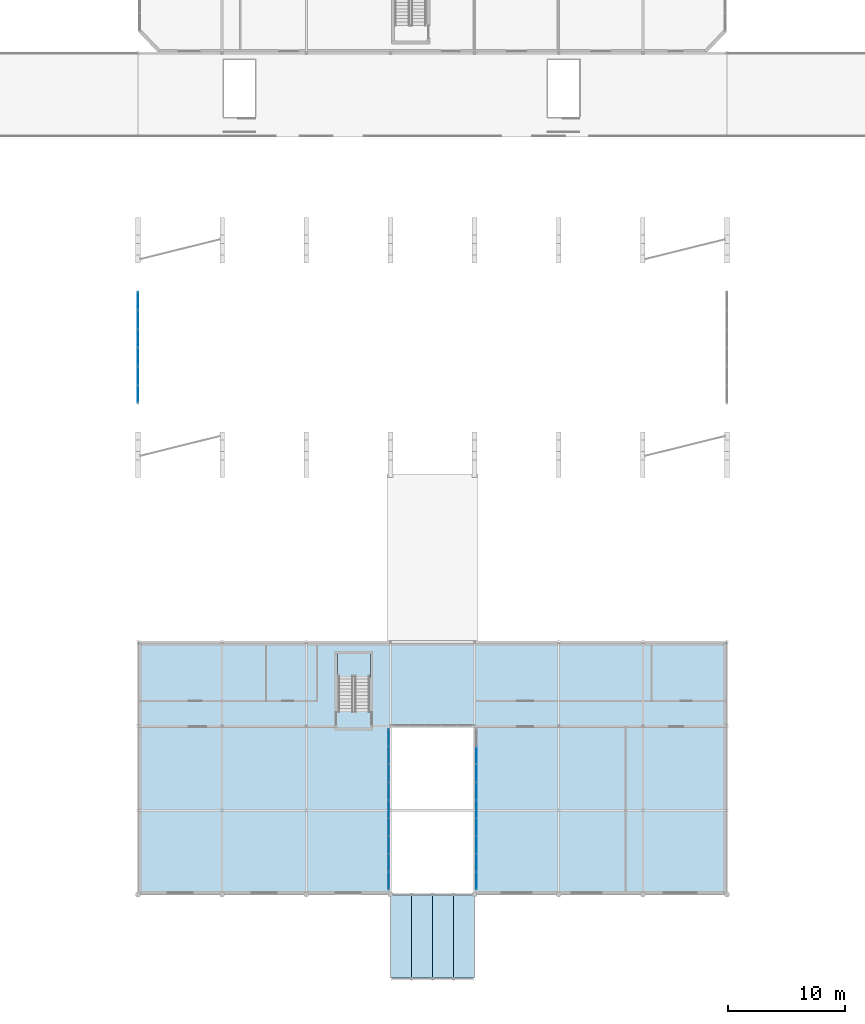
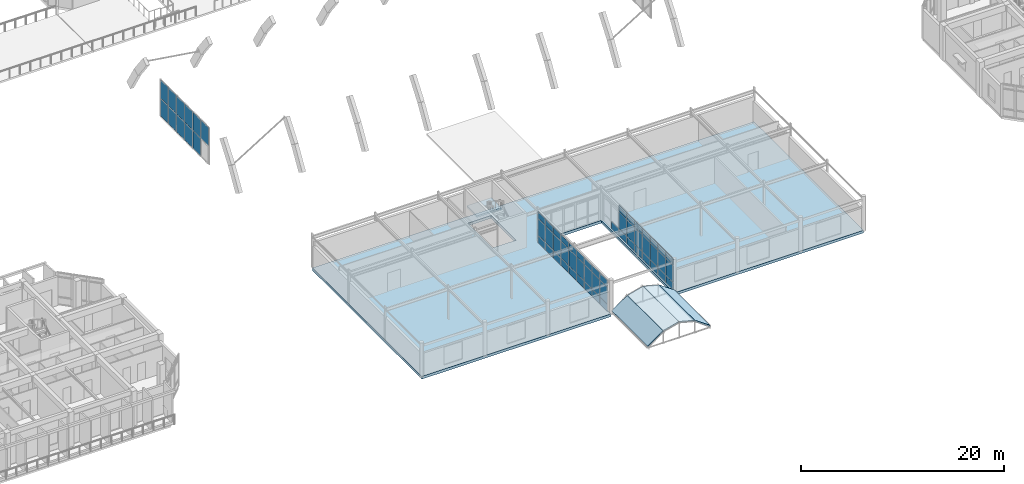
# One storey, part 36 of 85: 60 plates, 6 slabs, 4 elements without a shape of their own.
"""IFC4 building model written with IfcOpenShell, lengths in metres."""

from ifc_helpers import new_model, si_unit, direction, frame, origin, origin_2d, place, context, subcontext, project, spatial, polyline, rectangle, outline, extrude, material, layer, layer_set, type_object, element, aggregate, save


model = new_model("IFC4")

# Units and contexts
model_context = context("Model", 3, precision=1e-05, world=origin(), true_north=direction((0.0, 1.0)))
body_context = subcontext(model_context, "Body", "Model", "MODEL_VIEW")
ifc_project = project(units=[si_unit("LENGTHUNIT", "METRE"), si_unit("AREAUNIT", "SQUARE_METRE"), si_unit("VOLUMEUNIT", "CUBIC_METRE"), si_unit("PLANEANGLEUNIT", "RADIAN"), si_unit("MASSUNIT", "GRAM", prefix="KILO")], contexts=[model_context])

# Site, building, storey
site_placement = place(None, origin())
site = spatial("IfcSite", under=ifc_project, at=site_placement, CompositionType="ELEMENT")
building_placement = place(site_placement, origin())
building = spatial("IfcBuilding", under=site, at=building_placement, Name="Ochrevale Crest", CompositionType="ELEMENT")
storey_placement = place(building_placement, frame((0.0, 0.0, 4.5)))
storey = spatial("IfcBuildingStorey", under=building, at=storey_placement, Name="L01", CompositionType="ELEMENT", Elevation=4.5)

# Curtain wall, plates
ifc_material_1 = material(Name="Anodised aluminium 6063-T5", Category="aluminium")
ifc_layer_1 = layer(ifc_material_1, 0.14990234375)
ifc_layer_set_1 = layer_set([ifc_layer_1], Name="Anodised aluminium 6063-T5")
curtain_wall_type_1 = type_object("IfcCurtainWallType", Name="CW-LNG-480x385", PredefinedType="NOTDEFINED", material=ifc_layer_set_1)
curtain_wall_1_placement = place(storey_placement, origin())
curtain_wall_1 = element("IfcCurtainWall", 1, at=curtain_wall_1_placement, inside=storey, type_object=curtain_wall_type_1, Name="Upper Arcade W passage overlook curtain wall", PredefinedType="NOTDEFINED")
ifc_material_2 = material(Name="Double-glazed low-E insulated glass unit", Category="glass")
ifc_layer_2 = layer(ifc_material_2, 0.028076171875)
ifc_layer_set_2 = layer_set([ifc_layer_2], Name="Double-glazed low-E insulated glass unit")
plate_type_1 = type_object("IfcPlateType", Name="CW-PNL-IGU28", PredefinedType="CURTAIN_PANEL", material=ifc_layer_set_2)
plate_1_placement = place(storey_placement, frame((79.050048828125, 8.3828125, 0.06005859375), z_axis=(0.0, 0.0, 1.0), x_axis=(0.0, 1.0, 0.0)))
plate_1 = element("IfcPlate", 2, at=plate_1_placement, type_object=plate_type_1, Name="CW11 panel 1.1", PredefinedType="CURTAIN_PANEL", context=body_context, shape_type="SweptSolid", body=[
    extrude(rectangle(XDim=1.435791015625, YDim=0.028076171875, at=origin_2d()), origin(), (0.0, 0.0, 1.0), 0.860107421875),
])
plate_2_placement = place(storey_placement, frame((79.050048828125, 8.3828125, 0.97998046875), z_axis=(0.0, 0.0, 1.0), x_axis=(0.0, 1.0, 0.0)))
plate_2 = element("IfcPlate", 3, at=plate_2_placement, type_object=plate_type_1, Name="CW11 panel 1.2", PredefinedType="CURTAIN_PANEL", context=body_context, shape_type="SweptSolid", body=[
    extrude(rectangle(XDim=1.435791015625, YDim=0.028076171875, at=origin_2d()), origin(), (0.0, 0.0, 1.0), 1.989990234375),
])
plate_3_placement = place(storey_placement, frame((79.050048828125, 8.3828125, 3.02978515625), z_axis=(0.0, 0.0, 1.0), x_axis=(0.0, 1.0, 0.0)))
plate_3 = element("IfcPlate", 4, at=plate_3_placement, type_object=plate_type_1, Name="CW11 panel 1.3", PredefinedType="CURTAIN_PANEL", context=body_context, shape_type="SweptSolid", body=[
    extrude(rectangle(XDim=1.435791015625, YDim=0.028076171875, at=origin_2d()), origin(), (0.0, 0.0, 1.0), 0.760009765625),
])
plate_4_placement = place(storey_placement, frame((79.050048828125, 9.89990234375, 0.06005859375), z_axis=(0.0, 0.0, 1.0), x_axis=(0.0, 1.0, 0.0)))
plate_4 = element("IfcPlate", 5, at=plate_4_placement, type_object=plate_type_1, Name="CW11 panel 2.1", PredefinedType="CURTAIN_PANEL", context=body_context, shape_type="SweptSolid", body=[
    extrude(rectangle(XDim=1.46826171875, YDim=0.028076171875, at=origin_2d()), origin(), (0.0, 0.0, 1.0), 0.860107421875),
])
plate_5_placement = place(storey_placement, frame((79.050048828125, 9.89990234375, 0.97998046875), z_axis=(0.0, 0.0, 1.0), x_axis=(0.0, 1.0, 0.0)))
plate_5 = element("IfcPlate", 6, at=plate_5_placement, type_object=plate_type_1, Name="CW11 panel 2.2", PredefinedType="CURTAIN_PANEL", context=body_context, shape_type="SweptSolid", body=[
    extrude(rectangle(XDim=1.46826171875, YDim=0.028076171875, at=origin_2d()), origin(), (0.0, 0.0, 1.0), 1.989990234375),
])
plate_6_placement = place(storey_placement, frame((79.050048828125, 9.89990234375, 3.02978515625), z_axis=(0.0, 0.0, 1.0), x_axis=(0.0, 1.0, 0.0)))
plate_6 = element("IfcPlate", 7, at=plate_6_placement, type_object=plate_type_1, Name="CW11 panel 2.3", PredefinedType="CURTAIN_PANEL", context=body_context, shape_type="SweptSolid", body=[
    extrude(rectangle(XDim=1.46826171875, YDim=0.028076171875, at=origin_2d()), origin(), (0.0, 0.0, 1.0), 0.760009765625),
])
plate_7_placement = place(storey_placement, frame((79.050048828125, 11.433349609375, 0.06005859375), z_axis=(0.0, 0.0, 1.0), x_axis=(0.0, 1.0, 0.0)))
plate_7 = element("IfcPlate", 8, at=plate_7_placement, type_object=plate_type_1, Name="CW11 panel 3.1", PredefinedType="CURTAIN_PANEL", context=body_context, shape_type="SweptSolid", body=[
    extrude(rectangle(XDim=1.46826171875, YDim=0.028076171875, at=origin_2d()), origin(), (0.0, 0.0, 1.0), 0.860107421875),
])
plate_8_placement = place(storey_placement, frame((79.050048828125, 11.433349609375, 0.97998046875), z_axis=(0.0, 0.0, 1.0), x_axis=(0.0, 1.0, 0.0)))
plate_8 = element("IfcPlate", 9, at=plate_8_placement, type_object=plate_type_1, Name="CW11 panel 3.2", PredefinedType="CURTAIN_PANEL", context=body_context, shape_type="SweptSolid", body=[
    extrude(rectangle(XDim=1.46826171875, YDim=0.028076171875, at=origin_2d()), origin(), (0.0, 0.0, 1.0), 1.989990234375),
])
plate_9_placement = place(storey_placement, frame((79.050048828125, 11.433349609375, 3.02978515625), z_axis=(0.0, 0.0, 1.0), x_axis=(0.0, 1.0, 0.0)))
plate_9 = element("IfcPlate", 10, at=plate_9_placement, type_object=plate_type_1, Name="CW11 panel 3.3", PredefinedType="CURTAIN_PANEL", context=body_context, shape_type="SweptSolid", body=[
    extrude(rectangle(XDim=1.46826171875, YDim=0.028076171875, at=origin_2d()), origin(), (0.0, 0.0, 1.0), 0.760009765625),
])
plate_10_placement = place(storey_placement, frame((79.050048828125, 12.966552734375, 0.06005859375), z_axis=(0.0, 0.0, 1.0), x_axis=(0.0, 1.0, 0.0)))
plate_10 = element("IfcPlate", 11, at=plate_10_placement, type_object=plate_type_1, Name="CW11 panel 4.1", PredefinedType="CURTAIN_PANEL", context=body_context, shape_type="SweptSolid", body=[
    extrude(rectangle(XDim=1.46826171875, YDim=0.028076171875, at=origin_2d()), origin(), (0.0, 0.0, 1.0), 0.860107421875),
])
plate_11_placement = place(storey_placement, frame((79.050048828125, 12.966552734375, 0.97998046875), z_axis=(0.0, 0.0, 1.0), x_axis=(0.0, 1.0, 0.0)))
plate_11 = element("IfcPlate", 12, at=plate_11_placement, type_object=plate_type_1, Name="CW11 panel 4.2", PredefinedType="CURTAIN_PANEL", context=body_context, shape_type="SweptSolid", body=[
    extrude(rectangle(XDim=1.46826171875, YDim=0.028076171875, at=origin_2d()), origin(), (0.0, 0.0, 1.0), 1.989990234375),
])
plate_12_placement = place(storey_placement, frame((79.050048828125, 12.966552734375, 3.02978515625), z_axis=(0.0, 0.0, 1.0), x_axis=(0.0, 1.0, 0.0)))
plate_12 = element("IfcPlate", 13, at=plate_12_placement, type_object=plate_type_1, Name="CW11 panel 4.3", PredefinedType="CURTAIN_PANEL", context=body_context, shape_type="SweptSolid", body=[
    extrude(rectangle(XDim=1.46826171875, YDim=0.028076171875, at=origin_2d()), origin(), (0.0, 0.0, 1.0), 0.760009765625),
])
plate_13_placement = place(storey_placement, frame((79.050048828125, 14.5, 0.06005859375), z_axis=(0.0, 0.0, 1.0), x_axis=(0.0, 1.0, 0.0)))
plate_13 = element("IfcPlate", 14, at=plate_13_placement, type_object=plate_type_1, Name="CW11 panel 5.1", PredefinedType="CURTAIN_PANEL", context=body_context, shape_type="SweptSolid", body=[
    extrude(rectangle(XDim=1.46826171875, YDim=0.028076171875, at=origin_2d()), origin(), (0.0, 0.0, 1.0), 0.860107421875),
])
plate_14_placement = place(storey_placement, frame((79.050048828125, 14.5, 0.97998046875), z_axis=(0.0, 0.0, 1.0), x_axis=(0.0, 1.0, 0.0)))
plate_14 = element("IfcPlate", 15, at=plate_14_placement, type_object=plate_type_1, Name="CW11 panel 5.2", PredefinedType="CURTAIN_PANEL", context=body_context, shape_type="SweptSolid", body=[
    extrude(rectangle(XDim=1.46826171875, YDim=0.028076171875, at=origin_2d()), origin(), (0.0, 0.0, 1.0), 1.989990234375),
])
plate_15_placement = place(storey_placement, frame((79.050048828125, 14.5, 3.02978515625), z_axis=(0.0, 0.0, 1.0), x_axis=(0.0, 1.0, 0.0)))
plate_15 = element("IfcPlate", 16, at=plate_15_placement, type_object=plate_type_1, Name="CW11 panel 5.3", PredefinedType="CURTAIN_PANEL", context=body_context, shape_type="SweptSolid", body=[
    extrude(rectangle(XDim=1.46826171875, YDim=0.028076171875, at=origin_2d()), origin(), (0.0, 0.0, 1.0), 0.760009765625),
])
plate_16_placement = place(storey_placement, frame((79.050048828125, 16.033447265625, 0.06005859375), z_axis=(0.0, 0.0, 1.0), x_axis=(0.0, 1.0, 0.0)))
plate_16 = element("IfcPlate", 17, at=plate_16_placement, type_object=plate_type_1, Name="CW11 panel 6.1", PredefinedType="CURTAIN_PANEL", context=body_context, shape_type="SweptSolid", body=[
    extrude(rectangle(XDim=1.46826171875, YDim=0.028076171875, at=origin_2d()), origin(), (0.0, 0.0, 1.0), 0.860107421875),
])
plate_17_placement = place(storey_placement, frame((79.050048828125, 16.033447265625, 0.97998046875), z_axis=(0.0, 0.0, 1.0), x_axis=(0.0, 1.0, 0.0)))
plate_17 = element("IfcPlate", 18, at=plate_17_placement, type_object=plate_type_1, Name="CW11 panel 6.2", PredefinedType="CURTAIN_PANEL", context=body_context, shape_type="SweptSolid", body=[
    extrude(rectangle(XDim=1.46826171875, YDim=0.028076171875, at=origin_2d()), origin(), (0.0, 0.0, 1.0), 1.989990234375),
])
plate_18_placement = place(storey_placement, frame((79.050048828125, 16.033447265625, 3.02978515625), z_axis=(0.0, 0.0, 1.0), x_axis=(0.0, 1.0, 0.0)))
plate_18 = element("IfcPlate", 19, at=plate_18_placement, type_object=plate_type_1, Name="CW11 panel 6.3", PredefinedType="CURTAIN_PANEL", context=body_context, shape_type="SweptSolid", body=[
    extrude(rectangle(XDim=1.46826171875, YDim=0.028076171875, at=origin_2d()), origin(), (0.0, 0.0, 1.0), 0.760009765625),
])
plate_19_placement = place(storey_placement, frame((79.050048828125, 17.566650390625, 0.06005859375), z_axis=(0.0, 0.0, 1.0), x_axis=(0.0, 1.0, 0.0)))
plate_19 = element("IfcPlate", 20, at=plate_19_placement, type_object=plate_type_1, Name="CW11 panel 7.1", PredefinedType="CURTAIN_PANEL", context=body_context, shape_type="SweptSolid", body=[
    extrude(rectangle(XDim=1.46826171875, YDim=0.028076171875, at=origin_2d()), origin(), (0.0, 0.0, 1.0), 0.860107421875),
])
plate_20_placement = place(storey_placement, frame((79.050048828125, 17.566650390625, 0.97998046875), z_axis=(0.0, 0.0, 1.0), x_axis=(0.0, 1.0, 0.0)))
plate_20 = element("IfcPlate", 21, at=plate_20_placement, type_object=plate_type_1, Name="CW11 panel 7.2", PredefinedType="CURTAIN_PANEL", context=body_context, shape_type="SweptSolid", body=[
    extrude(rectangle(XDim=1.46826171875, YDim=0.028076171875, at=origin_2d()), origin(), (0.0, 0.0, 1.0), 1.989990234375),
])
plate_21_placement = place(storey_placement, frame((79.050048828125, 17.566650390625, 3.02978515625), z_axis=(0.0, 0.0, 1.0), x_axis=(0.0, 1.0, 0.0)))
plate_21 = element("IfcPlate", 22, at=plate_21_placement, type_object=plate_type_1, Name="CW11 panel 7.3", PredefinedType="CURTAIN_PANEL", context=body_context, shape_type="SweptSolid", body=[
    extrude(rectangle(XDim=1.46826171875, YDim=0.028076171875, at=origin_2d()), origin(), (0.0, 0.0, 1.0), 0.760009765625),
])
plate_22_placement = place(storey_placement, frame((79.050048828125, 19.10009765625, 0.06005859375), z_axis=(0.0, 0.0, 1.0), x_axis=(0.0, 1.0, 0.0)))
plate_22 = element("IfcPlate", 23, at=plate_22_placement, type_object=plate_type_1, Name="CW11 panel 8.1", PredefinedType="CURTAIN_PANEL", context=body_context, shape_type="SweptSolid", body=[
    extrude(rectangle(XDim=1.46826171875, YDim=0.028076171875, at=origin_2d()), origin(), (0.0, 0.0, 1.0), 0.860107421875),
])
plate_23_placement = place(storey_placement, frame((79.050048828125, 19.10009765625, 0.97998046875), z_axis=(0.0, 0.0, 1.0), x_axis=(0.0, 1.0, 0.0)))
plate_23 = element("IfcPlate", 24, at=plate_23_placement, type_object=plate_type_1, Name="CW11 panel 8.2", PredefinedType="CURTAIN_PANEL", context=body_context, shape_type="SweptSolid", body=[
    extrude(rectangle(XDim=1.46826171875, YDim=0.028076171875, at=origin_2d()), origin(), (0.0, 0.0, 1.0), 1.989990234375),
])
plate_24_placement = place(storey_placement, frame((79.050048828125, 19.10009765625, 3.02978515625), z_axis=(0.0, 0.0, 1.0), x_axis=(0.0, 1.0, 0.0)))
plate_24 = element("IfcPlate", 25, at=plate_24_placement, type_object=plate_type_1, Name="CW11 panel 8.3", PredefinedType="CURTAIN_PANEL", context=body_context, shape_type="SweptSolid", body=[
    extrude(rectangle(XDim=1.46826171875, YDim=0.028076171875, at=origin_2d()), origin(), (0.0, 0.0, 1.0), 0.760009765625),
])
plate_25_placement = place(storey_placement, frame((79.050048828125, 20.6171875, 0.06005859375), z_axis=(0.0, 0.0, 1.0), x_axis=(0.0, 1.0, 0.0)))
plate_25 = element("IfcPlate", 26, at=plate_25_placement, type_object=plate_type_1, Name="CW11 panel 9.1", PredefinedType="CURTAIN_PANEL", context=body_context, shape_type="SweptSolid", body=[
    extrude(rectangle(XDim=1.435791015625, YDim=0.028076171875, at=origin_2d()), origin(), (0.0, 0.0, 1.0), 0.860107421875),
])
plate_26_placement = place(storey_placement, frame((79.050048828125, 20.6171875, 0.97998046875), z_axis=(0.0, 0.0, 1.0), x_axis=(0.0, 1.0, 0.0)))
plate_26 = element("IfcPlate", 27, at=plate_26_placement, type_object=plate_type_1, Name="CW11 panel 9.2", PredefinedType="CURTAIN_PANEL", context=body_context, shape_type="SweptSolid", body=[
    extrude(rectangle(XDim=1.435791015625, YDim=0.028076171875, at=origin_2d()), origin(), (0.0, 0.0, 1.0), 1.989990234375),
])
plate_27_placement = place(storey_placement, frame((79.050048828125, 20.6171875, 3.02978515625), z_axis=(0.0, 0.0, 1.0), x_axis=(0.0, 1.0, 0.0)))
plate_27 = element("IfcPlate", 28, at=plate_27_placement, type_object=plate_type_1, Name="CW11 panel 9.3", PredefinedType="CURTAIN_PANEL", context=body_context, shape_type="SweptSolid", body=[
    extrude(rectangle(XDim=1.435791015625, YDim=0.028076171875, at=origin_2d()), origin(), (0.0, 0.0, 1.0), 0.760009765625),
])
aggregate(curtain_wall_1, [plate_1, plate_2, plate_3, plate_4, plate_5, plate_6, plate_7, plate_8, plate_9, plate_10, plate_11, plate_12, plate_13, plate_14, plate_15, plate_16, plate_17, plate_18, plate_19, plate_20, plate_21, plate_22, plate_23, plate_24, plate_25, plate_26, plate_27])

curtain_wall_2_placement = place(storey_placement, origin())
curtain_wall_2 = element("IfcCurtainWall", 29, at=curtain_wall_2_placement, inside=storey, type_object=curtain_wall_type_1, Name="Upper Arcade E passage overlook curtain wall", PredefinedType="NOTDEFINED")
plate_28_placement = place(storey_placement, frame((86.550048828125, 8.3828125, 0.06005859375), z_axis=(0.0, 0.0, 1.0), x_axis=(0.0, 1.0, 0.0)))
plate_28 = element("IfcPlate", 30, at=plate_28_placement, type_object=plate_type_1, Name="CW11 panel 1.1", PredefinedType="CURTAIN_PANEL", context=body_context, shape_type="SweptSolid", body=[
    extrude(rectangle(XDim=1.435791015625, YDim=0.028076171875, at=origin_2d()), origin(), (0.0, 0.0, 1.0), 0.860107421875),
])
plate_29_placement = place(storey_placement, frame((86.550048828125, 8.3828125, 0.97998046875), z_axis=(0.0, 0.0, 1.0), x_axis=(0.0, 1.0, 0.0)))
plate_29 = element("IfcPlate", 31, at=plate_29_placement, type_object=plate_type_1, Name="CW11 panel 1.2", PredefinedType="CURTAIN_PANEL", context=body_context, shape_type="SweptSolid", body=[
    extrude(rectangle(XDim=1.435791015625, YDim=0.028076171875, at=origin_2d()), origin(), (0.0, 0.0, 1.0), 1.989990234375),
])
plate_30_placement = place(storey_placement, frame((86.550048828125, 8.3828125, 3.02978515625), z_axis=(0.0, 0.0, 1.0), x_axis=(0.0, 1.0, 0.0)))
plate_30 = element("IfcPlate", 32, at=plate_30_placement, type_object=plate_type_1, Name="CW11 panel 1.3", PredefinedType="CURTAIN_PANEL", context=body_context, shape_type="SweptSolid", body=[
    extrude(rectangle(XDim=1.435791015625, YDim=0.028076171875, at=origin_2d()), origin(), (0.0, 0.0, 1.0), 0.760009765625),
])
plate_31_placement = place(storey_placement, frame((86.550048828125, 9.89990234375, 0.06005859375), z_axis=(0.0, 0.0, 1.0), x_axis=(0.0, 1.0, 0.0)))
plate_31 = element("IfcPlate", 33, at=plate_31_placement, type_object=plate_type_1, Name="CW11 panel 2.1", PredefinedType="CURTAIN_PANEL", context=body_context, shape_type="SweptSolid", body=[
    extrude(rectangle(XDim=1.46826171875, YDim=0.028076171875, at=origin_2d()), origin(), (0.0, 0.0, 1.0), 0.860107421875),
])
plate_32_placement = place(storey_placement, frame((86.550048828125, 9.89990234375, 0.97998046875), z_axis=(0.0, 0.0, 1.0), x_axis=(0.0, 1.0, 0.0)))
plate_32 = element("IfcPlate", 34, at=plate_32_placement, type_object=plate_type_1, Name="CW11 panel 2.2", PredefinedType="CURTAIN_PANEL", context=body_context, shape_type="SweptSolid", body=[
    extrude(rectangle(XDim=1.46826171875, YDim=0.028076171875, at=origin_2d()), origin(), (0.0, 0.0, 1.0), 1.989990234375),
])
plate_33_placement = place(storey_placement, frame((86.550048828125, 9.89990234375, 3.02978515625), z_axis=(0.0, 0.0, 1.0), x_axis=(0.0, 1.0, 0.0)))
plate_33 = element("IfcPlate", 35, at=plate_33_placement, type_object=plate_type_1, Name="CW11 panel 2.3", PredefinedType="CURTAIN_PANEL", context=body_context, shape_type="SweptSolid", body=[
    extrude(rectangle(XDim=1.46826171875, YDim=0.028076171875, at=origin_2d()), origin(), (0.0, 0.0, 1.0), 0.760009765625),
])
plate_34_placement = place(storey_placement, frame((86.550048828125, 11.433349609375, 0.06005859375), z_axis=(0.0, 0.0, 1.0), x_axis=(0.0, 1.0, 0.0)))
plate_34 = element("IfcPlate", 36, at=plate_34_placement, type_object=plate_type_1, Name="CW11 panel 3.1", PredefinedType="CURTAIN_PANEL", context=body_context, shape_type="SweptSolid", body=[
    extrude(rectangle(XDim=1.46826171875, YDim=0.028076171875, at=origin_2d()), origin(), (0.0, 0.0, 1.0), 0.860107421875),
])
plate_35_placement = place(storey_placement, frame((86.550048828125, 11.433349609375, 0.97998046875), z_axis=(0.0, 0.0, 1.0), x_axis=(0.0, 1.0, 0.0)))
plate_35 = element("IfcPlate", 37, at=plate_35_placement, type_object=plate_type_1, Name="CW11 panel 3.2", PredefinedType="CURTAIN_PANEL", context=body_context, shape_type="SweptSolid", body=[
    extrude(rectangle(XDim=1.46826171875, YDim=0.028076171875, at=origin_2d()), origin(), (0.0, 0.0, 1.0), 1.989990234375),
])
plate_36_placement = place(storey_placement, frame((86.550048828125, 11.433349609375, 3.02978515625), z_axis=(0.0, 0.0, 1.0), x_axis=(0.0, 1.0, 0.0)))
plate_36 = element("IfcPlate", 38, at=plate_36_placement, type_object=plate_type_1, Name="CW11 panel 3.3", PredefinedType="CURTAIN_PANEL", context=body_context, shape_type="SweptSolid", body=[
    extrude(rectangle(XDim=1.46826171875, YDim=0.028076171875, at=origin_2d()), origin(), (0.0, 0.0, 1.0), 0.760009765625),
])
plate_37_placement = place(storey_placement, frame((86.550048828125, 12.966552734375, 0.06005859375), z_axis=(0.0, 0.0, 1.0), x_axis=(0.0, 1.0, 0.0)))
plate_37 = element("IfcPlate", 39, at=plate_37_placement, type_object=plate_type_1, Name="CW11 panel 4.1", PredefinedType="CURTAIN_PANEL", context=body_context, shape_type="SweptSolid", body=[
    extrude(rectangle(XDim=1.46826171875, YDim=0.028076171875, at=origin_2d()), origin(), (0.0, 0.0, 1.0), 0.860107421875),
])
plate_38_placement = place(storey_placement, frame((86.550048828125, 12.966552734375, 0.97998046875), z_axis=(0.0, 0.0, 1.0), x_axis=(0.0, 1.0, 0.0)))
plate_38 = element("IfcPlate", 40, at=plate_38_placement, type_object=plate_type_1, Name="CW11 panel 4.2", PredefinedType="CURTAIN_PANEL", context=body_context, shape_type="SweptSolid", body=[
    extrude(rectangle(XDim=1.46826171875, YDim=0.028076171875, at=origin_2d()), origin(), (0.0, 0.0, 1.0), 1.989990234375),
])
plate_39_placement = place(storey_placement, frame((86.550048828125, 12.966552734375, 3.02978515625), z_axis=(0.0, 0.0, 1.0), x_axis=(0.0, 1.0, 0.0)))
plate_39 = element("IfcPlate", 41, at=plate_39_placement, type_object=plate_type_1, Name="CW11 panel 4.3", PredefinedType="CURTAIN_PANEL", context=body_context, shape_type="SweptSolid", body=[
    extrude(rectangle(XDim=1.46826171875, YDim=0.028076171875, at=origin_2d()), origin(), (0.0, 0.0, 1.0), 0.760009765625),
])
plate_40_placement = place(storey_placement, frame((86.550048828125, 14.5, 0.06005859375), z_axis=(0.0, 0.0, 1.0), x_axis=(0.0, 1.0, 0.0)))
plate_40 = element("IfcPlate", 42, at=plate_40_placement, type_object=plate_type_1, Name="CW11 panel 5.1", PredefinedType="CURTAIN_PANEL", context=body_context, shape_type="SweptSolid", body=[
    extrude(rectangle(XDim=1.46826171875, YDim=0.028076171875, at=origin_2d()), origin(), (0.0, 0.0, 1.0), 0.860107421875),
])
plate_41_placement = place(storey_placement, frame((86.550048828125, 14.5, 0.97998046875), z_axis=(0.0, 0.0, 1.0), x_axis=(0.0, 1.0, 0.0)))
plate_41 = element("IfcPlate", 43, at=plate_41_placement, type_object=plate_type_1, Name="CW11 panel 5.2", PredefinedType="CURTAIN_PANEL", context=body_context, shape_type="SweptSolid", body=[
    extrude(rectangle(XDim=1.46826171875, YDim=0.028076171875, at=origin_2d()), origin(), (0.0, 0.0, 1.0), 1.989990234375),
])
plate_42_placement = place(storey_placement, frame((86.550048828125, 14.5, 3.02978515625), z_axis=(0.0, 0.0, 1.0), x_axis=(0.0, 1.0, 0.0)))
plate_42 = element("IfcPlate", 44, at=plate_42_placement, type_object=plate_type_1, Name="CW11 panel 5.3", PredefinedType="CURTAIN_PANEL", context=body_context, shape_type="SweptSolid", body=[
    extrude(rectangle(XDim=1.46826171875, YDim=0.028076171875, at=origin_2d()), origin(), (0.0, 0.0, 1.0), 0.760009765625),
])
plate_43_placement = place(storey_placement, frame((86.550048828125, 16.033447265625, 0.06005859375), z_axis=(0.0, 0.0, 1.0), x_axis=(0.0, 1.0, 0.0)))
plate_43 = element("IfcPlate", 45, at=plate_43_placement, type_object=plate_type_1, Name="CW11 panel 6.1", PredefinedType="CURTAIN_PANEL", context=body_context, shape_type="SweptSolid", body=[
    extrude(rectangle(XDim=1.46826171875, YDim=0.028076171875, at=origin_2d()), origin(), (0.0, 0.0, 1.0), 0.860107421875),
])
plate_44_placement = place(storey_placement, frame((86.550048828125, 16.033447265625, 0.97998046875), z_axis=(0.0, 0.0, 1.0), x_axis=(0.0, 1.0, 0.0)))
plate_44 = element("IfcPlate", 46, at=plate_44_placement, type_object=plate_type_1, Name="CW11 panel 6.2", PredefinedType="CURTAIN_PANEL", context=body_context, shape_type="SweptSolid", body=[
    extrude(rectangle(XDim=1.46826171875, YDim=0.028076171875, at=origin_2d()), origin(), (0.0, 0.0, 1.0), 1.989990234375),
])
plate_45_placement = place(storey_placement, frame((86.550048828125, 16.033447265625, 3.02978515625), z_axis=(0.0, 0.0, 1.0), x_axis=(0.0, 1.0, 0.0)))
plate_45 = element("IfcPlate", 47, at=plate_45_placement, type_object=plate_type_1, Name="CW11 panel 6.3", PredefinedType="CURTAIN_PANEL", context=body_context, shape_type="SweptSolid", body=[
    extrude(rectangle(XDim=1.46826171875, YDim=0.028076171875, at=origin_2d()), origin(), (0.0, 0.0, 1.0), 0.760009765625),
])
plate_46_placement = place(storey_placement, frame((86.550048828125, 17.566650390625, 0.06005859375), z_axis=(0.0, 0.0, 1.0), x_axis=(0.0, 1.0, 0.0)))
plate_46 = element("IfcPlate", 48, at=plate_46_placement, type_object=plate_type_1, Name="CW11 panel 7.1", PredefinedType="CURTAIN_PANEL", context=body_context, shape_type="SweptSolid", body=[
    extrude(rectangle(XDim=1.46826171875, YDim=0.028076171875, at=origin_2d()), origin(), (0.0, 0.0, 1.0), 0.860107421875),
])
plate_47_placement = place(storey_placement, frame((86.550048828125, 17.566650390625, 0.97998046875), z_axis=(0.0, 0.0, 1.0), x_axis=(0.0, 1.0, 0.0)))
plate_47 = element("IfcPlate", 49, at=plate_47_placement, type_object=plate_type_1, Name="CW11 panel 7.2", PredefinedType="CURTAIN_PANEL", context=body_context, shape_type="SweptSolid", body=[
    extrude(rectangle(XDim=1.46826171875, YDim=0.028076171875, at=origin_2d()), origin(), (0.0, 0.0, 1.0), 1.989990234375),
])
plate_48_placement = place(storey_placement, frame((86.550048828125, 17.566650390625, 3.02978515625), z_axis=(0.0, 0.0, 1.0), x_axis=(0.0, 1.0, 0.0)))
plate_48 = element("IfcPlate", 50, at=plate_48_placement, type_object=plate_type_1, Name="CW11 panel 7.3", PredefinedType="CURTAIN_PANEL", context=body_context, shape_type="SweptSolid", body=[
    extrude(rectangle(XDim=1.46826171875, YDim=0.028076171875, at=origin_2d()), origin(), (0.0, 0.0, 1.0), 0.760009765625),
])
plate_49_placement = place(storey_placement, frame((86.550048828125, 19.10009765625, 0.06005859375), z_axis=(0.0, 0.0, 1.0), x_axis=(0.0, 1.0, 0.0)))
plate_49 = element("IfcPlate", 51, at=plate_49_placement, type_object=plate_type_1, Name="CW11 panel 8.1", PredefinedType="CURTAIN_PANEL", context=body_context, shape_type="SweptSolid", body=[
    extrude(rectangle(XDim=1.46826171875, YDim=0.028076171875, at=origin_2d()), origin(), (0.0, 0.0, 1.0), 0.860107421875),
])
aggregate(curtain_wall_2, [plate_28, plate_29, plate_30, plate_31, plate_32, plate_33, plate_34, plate_35, plate_36, plate_37, plate_38, plate_39, plate_40, plate_41, plate_42, plate_43, plate_44, plate_45, plate_46, plate_47, plate_48, plate_49])

ifc_layer_3 = layer(ifc_material_1, 0.14990234375)
ifc_layer_set_3 = layer_set([ifc_layer_3], Name="Anodised aluminium 6063-T5")
curtain_wall_type_2 = type_object("IfcCurtainWallType", Name="CW-HALL-960x430", PredefinedType="NOTDEFINED", material=ifc_layer_set_3)
curtain_wall_3_placement = place(storey_placement, origin())
curtain_wall_3 = element("IfcCurtainWall", 52, at=curtain_wall_3_placement, inside=storey, type_object=curtain_wall_type_2, Name="Community Hall W barrel-vault glazed tympanum curtain wall", PredefinedType="NOTDEFINED")
ifc_material_3 = material(Name="Acoustic laminated low-E insulated glass unit", Category="glass")
ifc_layer_4 = layer(ifc_material_3, 0.0380859375)
ifc_layer_set_4 = layer_set([ifc_layer_4], Name="Acoustic laminated low-E insulated glass unit")
plate_type_2 = type_object("IfcPlateType", Name="CW-PNL-IGU38", PredefinedType="CURTAIN_PANEL", material=ifc_layer_set_4)
plate_50_placement = place(storey_placement, frame((57.60009765625, 50.018798828125, 2.33251953125), z_axis=(0.0, 0.0, 1.0), x_axis=(0.0, 1.0, 0.0)))
plate_50 = element("IfcPlate", 53, at=plate_50_placement, type_object=plate_type_2, Name="CW21 panel 1.2", PredefinedType="CURTAIN_PANEL", context=body_context, shape_type="SweptSolid", body=[
    extrude(rectangle(XDim=1.487548828125, YDim=0.0380859375, at=origin_2d()), origin(), (0.0, 0.0, 1.0), 2.1826171875),
])
plate_51_placement = place(storey_placement, frame((57.60009765625, 51.60009765625, 0.1650390625), z_axis=(0.0, 0.0, 1.0), x_axis=(0.0, 1.0, 0.0)))
plate_51 = element("IfcPlate", 54, at=plate_51_placement, type_object=plate_type_2, Name="CW21 panel 2.1", PredefinedType="CURTAIN_PANEL", context=body_context, shape_type="SweptSolid", body=[
    extrude(rectangle(XDim=1.52490234375, YDim=0.0380859375, at=origin_2d()), origin(), (0.0, 0.0, 1.0), 2.1025390625),
])
plate_52_placement = place(storey_placement, frame((57.60009765625, 51.60009765625, 2.33251953125), z_axis=(0.0, 0.0, 1.0), x_axis=(0.0, 1.0, 0.0)))
plate_52 = element("IfcPlate", 55, at=plate_52_placement, type_object=plate_type_2, Name="CW21 panel 2.2", PredefinedType="CURTAIN_PANEL", context=body_context, shape_type="SweptSolid", body=[
    extrude(rectangle(XDim=1.52490234375, YDim=0.0380859375, at=origin_2d()), origin(), (0.0, 0.0, 1.0), 2.1826171875),
])
plate_53_placement = place(storey_placement, frame((57.60009765625, 53.199951171875, 0.1650390625), z_axis=(0.0, 0.0, 1.0), x_axis=(0.0, 1.0, 0.0)))
plate_53 = element("IfcPlate", 56, at=plate_53_placement, type_object=plate_type_2, Name="CW21 panel 3.1", PredefinedType="CURTAIN_PANEL", context=body_context, shape_type="SweptSolid", body=[
    extrude(rectangle(XDim=1.52490234375, YDim=0.0380859375, at=origin_2d()), origin(), (0.0, 0.0, 1.0), 2.1025390625),
])
plate_54_placement = place(storey_placement, frame((57.60009765625, 53.199951171875, 2.33251953125), z_axis=(0.0, 0.0, 1.0), x_axis=(0.0, 1.0, 0.0)))
plate_54 = element("IfcPlate", 57, at=plate_54_placement, type_object=plate_type_2, Name="CW21 panel 3.2", PredefinedType="CURTAIN_PANEL", context=body_context, shape_type="SweptSolid", body=[
    extrude(rectangle(XDim=1.52490234375, YDim=0.0380859375, at=origin_2d()), origin(), (0.0, 0.0, 1.0), 2.1826171875),
])
plate_55_placement = place(storey_placement, frame((57.60009765625, 54.800048828125, 0.1650390625), z_axis=(0.0, 0.0, 1.0), x_axis=(0.0, 1.0, 0.0)))
plate_55 = element("IfcPlate", 58, at=plate_55_placement, type_object=plate_type_2, Name="CW21 panel 4.1", PredefinedType="CURTAIN_PANEL", context=body_context, shape_type="SweptSolid", body=[
    extrude(rectangle(XDim=1.52490234375, YDim=0.0380859375, at=origin_2d()), origin(), (0.0, 0.0, 1.0), 2.1025390625),
])
plate_56_placement = place(storey_placement, frame((57.60009765625, 54.800048828125, 2.33251953125), z_axis=(0.0, 0.0, 1.0), x_axis=(0.0, 1.0, 0.0)))
plate_56 = element("IfcPlate", 59, at=plate_56_placement, type_object=plate_type_2, Name="CW21 panel 4.2", PredefinedType="CURTAIN_PANEL", context=body_context, shape_type="SweptSolid", body=[
    extrude(rectangle(XDim=1.52490234375, YDim=0.0380859375, at=origin_2d()), origin(), (0.0, 0.0, 1.0), 2.1826171875),
])
plate_57_placement = place(storey_placement, frame((57.60009765625, 56.39990234375, 0.1650390625), z_axis=(0.0, 0.0, 1.0), x_axis=(0.0, 1.0, 0.0)))
plate_57 = element("IfcPlate", 60, at=plate_57_placement, type_object=plate_type_2, Name="CW21 panel 5.1", PredefinedType="CURTAIN_PANEL", context=body_context, shape_type="SweptSolid", body=[
    extrude(rectangle(XDim=1.52490234375, YDim=0.0380859375, at=origin_2d()), origin(), (0.0, 0.0, 1.0), 2.1025390625),
])
plate_58_placement = place(storey_placement, frame((57.60009765625, 56.39990234375, 2.33251953125), z_axis=(0.0, 0.0, 1.0), x_axis=(0.0, 1.0, 0.0)))
plate_58 = element("IfcPlate", 61, at=plate_58_placement, type_object=plate_type_2, Name="CW21 panel 5.2", PredefinedType="CURTAIN_PANEL", context=body_context, shape_type="SweptSolid", body=[
    extrude(rectangle(XDim=1.52490234375, YDim=0.0380859375, at=origin_2d()), origin(), (0.0, 0.0, 1.0), 2.1826171875),
])
plate_59_placement = place(storey_placement, frame((57.60009765625, 57.981201171875, 0.1650390625), z_axis=(0.0, 0.0, 1.0), x_axis=(0.0, 1.0, 0.0)))
plate_59 = element("IfcPlate", 62, at=plate_59_placement, type_object=plate_type_2, Name="CW21 panel 6.1", PredefinedType="CURTAIN_PANEL", context=body_context, shape_type="SweptSolid", body=[
    extrude(rectangle(XDim=1.487548828125, YDim=0.0380859375, at=origin_2d()), origin(), (0.0, 0.0, 1.0), 2.1025390625),
])
plate_60_placement = place(storey_placement, frame((57.60009765625, 57.981201171875, 2.33251953125), z_axis=(0.0, 0.0, 1.0), x_axis=(0.0, 1.0, 0.0)))
plate_60 = element("IfcPlate", 63, at=plate_60_placement, type_object=plate_type_2, Name="CW21 panel 6.2", PredefinedType="CURTAIN_PANEL", context=body_context, shape_type="SweptSolid", body=[
    extrude(rectangle(XDim=1.487548828125, YDim=0.0380859375, at=origin_2d()), origin(), (0.0, 0.0, 1.0), 2.1826171875),
])
aggregate(curtain_wall_3, [plate_50, plate_51, plate_52, plate_53, plate_54, plate_55, plate_56, plate_57, plate_58, plate_59, plate_60])

# Slabs
ifc_material_4 = material(Name="Precast concrete C40/50", Category="concrete")
ifc_layer_5 = layer(ifc_material_4, 0.1650390625)
ifc_layer_set_5 = layer_set([ifc_layer_5], Name="Precast concrete C40/50")
slab_type_1 = type_object("IfcSlabType", Name="SLB-CANOPY-165", PredefinedType="ROOF", material=ifc_layer_set_5)
slab_1_placement = place(storey_placement, frame((79.21435546875, 0.050048828125, 0.43017578125), z_axis=(-0.573424450029, 0.0, 0.819258445247), x_axis=(0.819258445247, 0.0, 0.573424450029)))
element("IfcSlab", 64, at=slab_1_placement, inside=storey, type_object=slab_type_1, Name="Parabolic entrance canopy precast shell facet 1", PredefinedType="ROOF", context=body_context, shape_type="SweptSolid", body=[
    extrude(outline(polyline([(0.0, 0.0), (2.1620042425576296, 0.0), (2.1620042425576296, 7.050048828125), (0.0, 7.050048828125), (0.0, 0.0)])), origin(), (0.0, 0.0, -1.0), 0.1650390625),
])
for number, where, z_axis, x_axis, name in (
    (65, (81.014404296875, 0.050048828125, 1.683837890625), (-0.252595623236, 0.0, 0.96757193589), (0.96757193589, 0.0, 0.252595623236), "Parabolic entrance canopy precast shell facet 2"),
    (66, (82.814453125, 0.050048828125, 2.146240234375), (0.252595623236, 0.0, 0.96757193589), (0.96757193589, 0.0, -0.252595623236), "Parabolic entrance canopy precast shell facet 3"),
):
    element("IfcSlab", number, at=place(storey_placement, frame(where, z_axis=z_axis, x_axis=x_axis)), inside=storey, type_object=slab_type_1, Name=name, PredefinedType="ROOF", context=body_context, shape_type="SweptSolid", body=[
        extrude(outline(polyline([(0.0, 0.0), (1.8306031507058809, 0.0), (1.8306031507058809, 7.050048828125), (0.0, 7.050048828125), (0.0, 0.0)])), origin(), (0.0, 0.0, -1.0), 0.1650390625),
    ])
slab_2_placement = place(storey_placement, frame((84.614501953125, 0.050048828125, 1.669921875), z_axis=(0.573477503156, 0.0, 0.819221309155), x_axis=(0.819221309155, 0.0, -0.573477503156)))
element("IfcSlab", 67, at=slab_2_placement, inside=storey, type_object=slab_type_1, Name="Parabolic entrance canopy precast shell facet 4", PredefinedType="ROOF", context=body_context, shape_type="SweptSolid", body=[
    extrude(outline(polyline([(0.0, 0.0), (2.161804232821775, 0.0), (2.161804232821775, 7.050048828125), (0.0, 7.050048828125), (0.0, 0.0)])), origin(), (0.0, 0.0, -1.0), 0.1650390625),
])
ifc_layer_6 = layer(ifc_material_4, 0.324951171875)
ifc_layer_set_6 = layer_set([ifc_layer_6], Name="Precast concrete C40/50")
slab_type_2 = type_object("IfcSlabType", Name="SLB-POD-325", PredefinedType="FLOOR", material=ifc_layer_set_6)
slab_3_placement = place(storey_placement, frame((0.0, 0.0, -0.324951171875)))
element("IfcSlab", 68, at=slab_3_placement, inside=storey, type_object=slab_type_2, Name="Boulevard Retail & Residents Lounge L01 floor slab", PredefinedType="FLOOR", context=body_context, shape_type="SweptSolid", body=[
    extrude(outline(polyline([(57.625, 7.199951171875), (79.199951171875, 7.199951171875), (79.199951171875, 21.60009765625), (86.39990234375, 21.60009765625), (86.39990234375, 7.199951171875), (107.97509765625, 7.199951171875), (107.97509765625, 28.800048828125), (57.625, 28.800048828125), (57.625, 7.199951171875)]), holes=[polyline([(77.39990234375, 22.875), (77.39990234375, 27.77490234375), (74.75, 27.77490234375), (74.75, 22.875), (77.39990234375, 22.875)])]), origin(), (0.0, 0.0, 1.0), 0.324951171875),
])

# Stair, slab
stair_type = type_object("IfcStairType", Name="ST-CIVIC-DOG", PredefinedType="HALF_TURN_STAIR", material=ifc_material_4)
stair_placement = place(storey_placement, origin())
stair = element("IfcStair", 69, at=stair_placement, inside=storey, type_object=stair_type, Name="L01 Boulevard Roof-Garden Stair", PredefinedType="HALF_TURN_STAIR")
ifc_layer_7 = layer(ifc_material_4, 0.199951171875)
ifc_layer_set_7 = layer_set([ifc_layer_7], Name="Precast concrete C40/50")
slab_type_3 = type_object("IfcSlabType", Name="SLB-ST-LAND", PredefinedType="LANDING", material=ifc_layer_set_7)
slab_4_placement = place(storey_placement, frame((0.0, 0.0, 1.89990234375)))
slab_4 = element("IfcSlab", 70, at=slab_4_placement, type_object=slab_type_3, Name="ST-R1 landing 1", PredefinedType="LANDING", context=body_context, shape_type="SweptSolid", body=[
    extrude(outline(polyline([(77.47998046875, 25.824951171875), (77.47998046875, 27.85498046875), (74.669921875, 27.85498046875), (74.669921875, 25.824951171875), (77.47998046875, 25.824951171875)])), origin(), (0.0, 0.0, 1.0), 0.2001953125),
])
aggregate(stair, [slab_4])

save(model, "model.ifc")
